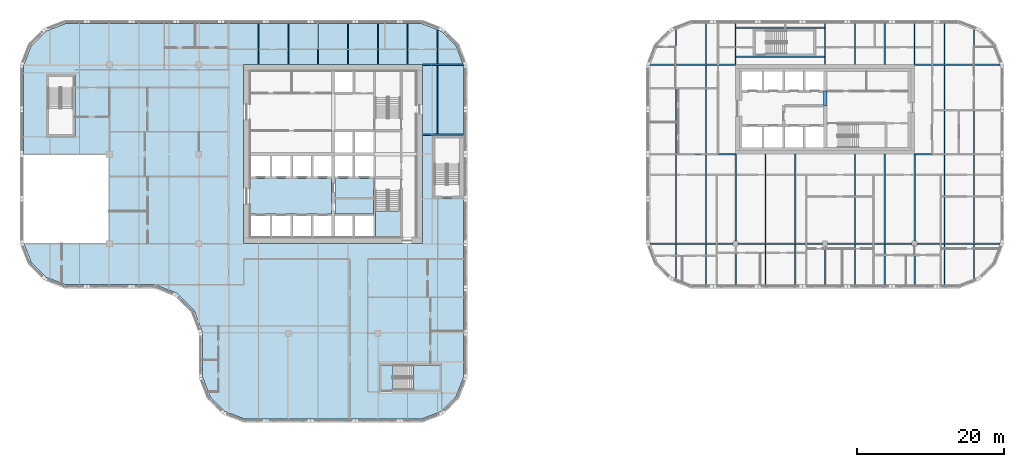
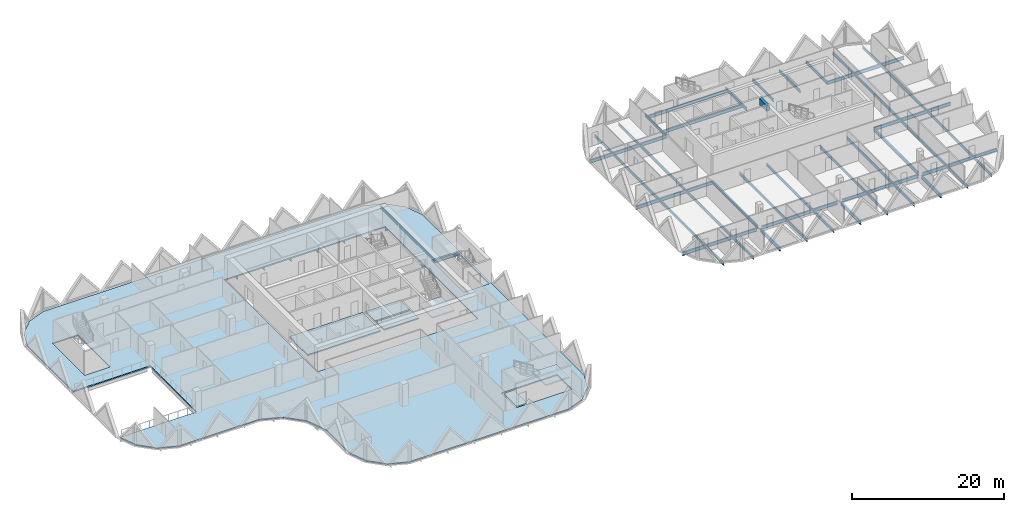
# One storey, part 2 of 19: 55 beams, 7 slabs, 2 elements without a shape of their own.
"""IFC4 building model written with IfcOpenShell, lengths in metres."""

from ifc_helpers import new_model, si_unit, direction, frame, origin, origin_2d, place, context, subcontext, project, spatial, polyline, rectangle, i_section, outline, extrude, material, layer, layer_set, material_profile, profile_set, type_object, element, aggregate, save


model = new_model("IFC4")

# Units and contexts
model_context = context("Model", 3, precision=1e-05, world=origin(), true_north=direction((0.0, 1.0)))
body_context = subcontext(model_context, "Body", "Model", "MODEL_VIEW")
ifc_project = project(units=[si_unit("LENGTHUNIT", "METRE"), si_unit("AREAUNIT", "SQUARE_METRE"), si_unit("VOLUMEUNIT", "CUBIC_METRE"), si_unit("PLANEANGLEUNIT", "RADIAN"), si_unit("MASSUNIT", "GRAM", prefix="KILO")], contexts=[model_context])

# Site, building, storey
site_placement = place(None, origin())
site = spatial("IfcSite", under=ifc_project, at=site_placement, CompositionType="ELEMENT")
building_placement = place(site_placement, origin())
building = spatial("IfcBuilding", under=site, at=building_placement, Name="Tessera Gate Towers", CompositionType="ELEMENT")
storey_placement = place(building_placement, frame((0.0, 0.0, 68.60009765625)))
storey = spatial("IfcBuildingStorey", under=building, at=storey_placement, Name="L16", CompositionType="ELEMENT", Elevation=68.60009765625)

# Beams
ifc_material_1 = material(Name="Concrete C50/60", Category="concrete")
ifc_material_profile_1 = material_profile(ifc_material_1, rectangle(XDim=0.5, YDim=0.89990234375, at=origin_2d()), Name="RC 500x900")
ifc_profile_set_1 = profile_set([ifc_material_profile_1], Name="Concrete C50/60")
beam_type_1 = type_object("IfcBeamType", Name="COUPLING BEAM 500x900 C50/60", PredefinedType="BEAM", material=ifc_profile_set_1)
beam_1_placement = place(storey_placement, frame((109.800048828125, 43.199951171875, 3.14990234375), z_axis=(0.0, 1.0, 0.0), x_axis=(-1.0, 0.0, 0.0)))
element("IfcBeam", 1, at=beam_1_placement, inside=storey, type_object=beam_type_1, Name="L16 coupling beam 1", PredefinedType="BEAM", context=body_context, shape_type="SweptSolid", body=[
    extrude(rectangle(XDim=0.5, YDim=0.89990234375, at=origin_2d()), origin(), (0.0, 0.0, 1.0), 2.0),
])
ifc_material_2 = material(Name="Steel 350W", Category="steel")
ifc_material_profile_2 = material_profile(ifc_material_2, i_section(OverallWidth=0.208984375, OverallDepth=0.532958984375, WebThickness=0.01025390625, FlangeThickness=0.015625, at=origin_2d()), Name="W530x92")
ifc_profile_set_2 = profile_set([ifc_material_profile_2], Name="Steel 350W")
beam_type_2 = type_object("IfcBeamType", Name="FLOOR GIRDER W530x92", PredefinedType="BEAM", material=ifc_profile_set_2)
beam_2_placement = place(storey_placement, frame((54.90087890625, 48.800048828125, -0.466552734375), z_axis=(1.0, 0.0, 0.0), x_axis=(0.0, 1.0, 0.0)))
element("IfcBeam", 2, at=beam_2_placement, inside=storey, type_object=beam_type_2, Name="T1-GD-L16-2242", PredefinedType="BEAM", context=body_context, shape_type="SweptSolid", body=[
    extrude(i_section(OverallWidth=0.208984375, OverallDepth=0.532958984375, WebThickness=0.01025390625, FlangeThickness=0.015625, at=origin_2d()), origin(), (0.0, 0.0, 1.0), 5.564208984375),
])
beam_3_placement = place(storey_placement, frame((54.89892578125, 39.219970703125, -0.466552734375), z_axis=(1.0, 0.0, 0.0), x_axis=(0.0, 1.0, 0.0)))
element("IfcBeam", 3, at=beam_3_placement, inside=storey, type_object=beam_type_2, Name="T1-GD-L16-2258", PredefinedType="BEAM", context=body_context, shape_type="SweptSolid", body=[
    extrude(i_section(OverallWidth=0.208984375, OverallDepth=0.532958984375, WebThickness=0.01025390625, FlangeThickness=0.015625, at=origin_2d()), origin(), (0.0, 0.0, 1.0), 5.60205078125),
])
beam_4_placement = place(storey_placement, frame((85.934814453125, 24.39990234375, -0.466552734375), z_axis=(1.0, 0.0, 0.0), x_axis=(0.0, 1.0, 0.0)))
element("IfcBeam", 4, at=beam_4_placement, inside=storey, type_object=beam_type_2, Name="T2-GD-L16-2300", PredefinedType="BEAM", context=body_context, shape_type="SweptSolid", body=[
    extrude(i_section(OverallWidth=0.208984375, OverallDepth=0.532958984375, WebThickness=0.01025390625, FlangeThickness=0.015625, at=origin_2d()), origin(), (0.0, 0.0, 1.0), 11.315185546875),
])
for number, where, z_axis, x_axis, name in (
    (5, (97.949951171875, 24.39990234375, -0.466552734375), (1.0, 0.0, 0.0), (0.0, 1.0, 0.0), "T2-GD-L16-2301"),
    (6, (110.14990234375, 24.39990234375, -0.466552734375), (1.0, 0.0, 0.0), (0.0, 1.0, 0.0), "T2-GD-L16-2302"),
):
    element("IfcBeam", number, at=place(storey_placement, frame(where, z_axis=z_axis, x_axis=x_axis)), inside=storey, type_object=beam_type_2, Name=name, PredefinedType="BEAM", context=body_context, shape_type="SweptSolid", body=[
        extrude(i_section(OverallWidth=0.208984375, OverallDepth=0.532958984375, WebThickness=0.01025390625, FlangeThickness=0.015625, at=origin_2d()), origin(), (0.0, 0.0, 1.0), 11.5),
    ])
beam_5_placement = place(storey_placement, frame((122.35009765625, 24.39990234375, -0.466552734375), z_axis=(1.0, 0.0, 0.0), x_axis=(0.0, 1.0, 0.0)))
element("IfcBeam", 7, at=beam_5_placement, inside=storey, type_object=beam_type_2, Name="T2-GD-L16-2303", PredefinedType="BEAM", context=body_context, shape_type="SweptSolid", body=[
    extrude(i_section(OverallWidth=0.208984375, OverallDepth=0.532958984375, WebThickness=0.01025390625, FlangeThickness=0.015625, at=origin_2d()), origin(), (0.0, 0.0, 1.0), 11.315185546875),
])
beam_6_placement = place(storey_placement, frame((85.89892578125, 36.60009765625, -0.466552734375), z_axis=(1.0, 0.0, 0.0), x_axis=(0.0, 1.0, 0.0)))
element("IfcBeam", 8, at=beam_6_placement, inside=storey, type_object=beam_type_2, Name="T2-GD-L16-2304", PredefinedType="BEAM", context=body_context, shape_type="SweptSolid", body=[
    extrude(i_section(OverallWidth=0.208984375, OverallDepth=0.532958984375, WebThickness=0.01025390625, FlangeThickness=0.015625, at=origin_2d()), origin(), (0.0, 0.0, 1.0), 11.7001953125),
])
beam_7_placement = place(storey_placement, frame((122.0009765625, 36.60009765625, -0.466552734375), z_axis=(1.0, 0.0, 0.0), x_axis=(0.0, 1.0, 0.0)))
element("IfcBeam", 9, at=beam_7_placement, inside=storey, type_object=beam_type_2, Name="T2-GD-L16-2305", PredefinedType="BEAM", context=body_context, shape_type="SweptSolid", body=[
    extrude(i_section(OverallWidth=0.208984375, OverallDepth=0.532958984375, WebThickness=0.01025390625, FlangeThickness=0.015625, at=origin_2d()), origin(), (0.0, 0.0, 1.0), 11.699951171875),
])
for number, where, z_axis, x_axis, name in (
    (10, (85.934814453125, 48.800048828125, -0.466552734375), (1.0, 0.0, 0.0), (0.0, 1.0, 0.0), "T2-GD-L16-2306"),
    (11, (122.0009765625, 48.800048828125, -0.466552734375), (1.0, 0.0, 0.0), (0.0, 1.0, 0.0), "T2-GD-L16-2307"),
):
    element("IfcBeam", number, at=place(storey_placement, frame(where, z_axis=z_axis, x_axis=x_axis)), inside=storey, type_object=beam_type_2, Name=name, PredefinedType="BEAM", context=body_context, shape_type="SweptSolid", body=[
        extrude(i_section(OverallWidth=0.208984375, OverallDepth=0.532958984375, WebThickness=0.01025390625, FlangeThickness=0.015625, at=origin_2d()), origin(), (0.0, 0.0, 1.0), 11.664306640625),
    ])
beam_8_placement = place(storey_placement, frame((97.60009765625, 18.799072265625, -0.466552734375), z_axis=(0.0, 1.0, 0.0), x_axis=(-1.0, 0.0, 0.0)))
element("IfcBeam", 12, at=beam_8_placement, inside=storey, type_object=beam_type_2, Name="T2-GD-L16-2308", PredefinedType="BEAM", context=body_context, shape_type="SweptSolid", body=[
    extrude(i_section(OverallWidth=0.208984375, OverallDepth=0.532958984375, WebThickness=0.01025390625, FlangeThickness=0.015625, at=origin_2d()), origin(), (0.0, 0.0, 1.0), 5.2509765625),
])
beam_9_placement = place(storey_placement, frame((97.60009765625, 24.75, -0.466552734375), z_axis=(0.0, 1.0, 0.0), x_axis=(-1.0, 0.0, 0.0)))
element("IfcBeam", 13, at=beam_9_placement, inside=storey, type_object=beam_type_2, Name="T2-GD-L16-2309", PredefinedType="BEAM", context=body_context, shape_type="SweptSolid", body=[
    extrude(i_section(OverallWidth=0.208984375, OverallDepth=0.532958984375, WebThickness=0.01025390625, FlangeThickness=0.015625, at=origin_2d()), origin(), (0.0, 0.0, 1.0), 11.85009765625),
])
for number, where, z_axis, x_axis, name in (
    (14, (109.800048828125, 18.799072265625, -0.466552734375), (0.0, 1.0, 0.0), (-1.0, 0.0, 0.0), "T2-GD-L16-2310"),
    (15, (122.0, 18.799072265625, -0.466552734375), (0.0, 1.0, 0.0), (-1.0, 0.0, 0.0), "T2-GD-L16-2311"),
):
    element("IfcBeam", number, at=place(storey_placement, frame(where, z_axis=z_axis, x_axis=x_axis)), inside=storey, type_object=beam_type_2, Name=name, PredefinedType="BEAM", context=body_context, shape_type="SweptSolid", body=[
        extrude(i_section(OverallWidth=0.208984375, OverallDepth=0.532958984375, WebThickness=0.01025390625, FlangeThickness=0.015625, at=origin_2d()), origin(), (0.0, 0.0, 1.0), 5.2509765625),
    ])
beam_10_placement = place(storey_placement, frame((122.0, 24.75, -0.466552734375), z_axis=(0.0, 1.0, 0.0), x_axis=(-1.0, 0.0, 0.0)))
element("IfcBeam", 16, at=beam_10_placement, inside=storey, type_object=beam_type_2, Name="T2-GD-L16-2312", PredefinedType="BEAM", context=body_context, shape_type="SweptSolid", body=[
    extrude(i_section(OverallWidth=0.208984375, OverallDepth=0.532958984375, WebThickness=0.01025390625, FlangeThickness=0.015625, at=origin_2d()), origin(), (0.0, 0.0, 1.0), 11.85009765625),
])
for number, where, z_axis, x_axis, name in (
    (17, (97.676513671875, 49.8798828125, -0.466552734375), (1.0, 0.0, 0.0), (0.0, 1.0, 0.0), "T2-GD-L16-2313"),
    (18, (97.676513671875, 53.820068359375, -0.466552734375), (1.0, 0.0, 0.0), (0.0, 1.0, 0.0), "T2-GD-L16-2314"),
):
    element("IfcBeam", number, at=place(storey_placement, frame(where, z_axis=z_axis, x_axis=x_axis)), inside=storey, type_object=beam_type_2, Name=name, PredefinedType="BEAM", context=body_context, shape_type="SweptSolid", body=[
        extrude(i_section(OverallWidth=0.208984375, OverallDepth=0.532958984375, WebThickness=0.01025390625, FlangeThickness=0.015625, at=origin_2d()), origin(), (0.0, 0.0, 1.0), 12.046875),
    ])
ifc_material_3 = material(Name="Steel 350W", Category="steel")
ifc_material_profile_3 = material_profile(ifc_material_3, i_section(OverallWidth=0.153076171875, OverallDepth=0.455078125, WebThickness=0.008056640625, FlangeThickness=0.01318359375, at=origin_2d()), Name="W460x60")
ifc_profile_set_3 = profile_set([ifc_material_profile_3], Name="Steel 350W")
beam_type_3 = type_object("IfcBeamType", Name="FLOOR SECONDARY W460x60", PredefinedType="BEAM", material=ifc_profile_set_3)
for number, where, z_axis, x_axis, name in (
    (19, (32.533203125, 48.800048828125, -0.427490234375), (0.0, 1.0, 0.0), (-1.0, 0.0, 0.0), "T1-BM-L16-2281"),
    (20, (36.60009765625, 48.800048828125, -0.427490234375), (0.0, 1.0, 0.0), (-1.0, 0.0, 0.0), "T1-BM-L16-2282"),
    (21, (40.666748046875, 48.800048828125, -0.427490234375), (0.0, 1.0, 0.0), (-1.0, 0.0, 0.0), "T1-BM-L16-2285"),
    (22, (44.7333984375, 48.800048828125, -0.427490234375), (0.0, 1.0, 0.0), (-1.0, 0.0, 0.0), "T1-BM-L16-2288"),
    (23, (48.800048828125, 48.800048828125, -0.427490234375), (0.0, 1.0, 0.0), (-1.0, 0.0, 0.0), "T1-BM-L16-2289"),
    (24, (52.86669921875, 48.800048828125, -0.427490234375), (0.0, 1.0, 0.0), (-1.0, 0.0, 0.0), "T1-BM-L16-2293"),
):
    element("IfcBeam", number, at=place(storey_placement, frame(where, z_axis=z_axis, x_axis=x_axis)), inside=storey, type_object=beam_type_3, Name=name, PredefinedType="BEAM", context=body_context, shape_type="SweptSolid", body=[
        extrude(i_section(OverallWidth=0.153076171875, OverallDepth=0.455078125, WebThickness=0.008056640625, FlangeThickness=0.01318359375, at=origin_2d()), origin(), (0.0, 0.0, 1.0), 5.599853515625),
    ])
beam_11_placement = place(storey_placement, frame((56.933349609375, 39.324462890625, -0.427490234375), z_axis=(0.0, 1.0, 0.0), x_axis=(-1.0, 0.0, 0.0)))
element("IfcBeam", 25, at=beam_11_placement, inside=storey, type_object=beam_type_3, Name="T1-BM-L16-2298", PredefinedType="BEAM", context=body_context, shape_type="SweptSolid", body=[
    extrude(i_section(OverallWidth=0.153076171875, OverallDepth=0.455078125, WebThickness=0.008056640625, FlangeThickness=0.01318359375, at=origin_2d()), origin(), (0.0, 0.0, 1.0), 9.37109375),
])
for number, where, z_axis, x_axis, name in (
    (26, (56.933349609375, 48.904541015625, -0.427490234375), (0.0, 1.0, 0.0), (-1.0, 0.0, 0.0), "T1-BM-L16-2299"),
    (27, (89.466796875, 19.620361328125, -0.427490234375), (0.0, 1.0, 0.0), (-1.0, 0.0, 0.0), "T2-BM-L16-2315"),
):
    element("IfcBeam", number, at=place(storey_placement, frame(where, z_axis=z_axis, x_axis=x_axis)), inside=storey, type_object=beam_type_3, Name=name, PredefinedType="BEAM", context=body_context, shape_type="SweptSolid", body=[
        extrude(i_section(OverallWidth=0.153076171875, OverallDepth=0.455078125, WebThickness=0.008056640625, FlangeThickness=0.01318359375, at=origin_2d()), origin(), (0.0, 0.0, 1.0), 4.675048828125),
    ])
beam_12_placement = place(storey_placement, frame((89.466796875, 24.50439453125, -0.427490234375), z_axis=(0.0, 1.0, 0.0), x_axis=(-1.0, 0.0, 0.0)))
element("IfcBeam", 28, at=beam_12_placement, inside=storey, type_object=beam_type_3, Name="T2-BM-L16-2316", PredefinedType="BEAM", context=body_context, shape_type="SweptSolid", body=[
    extrude(i_section(OverallWidth=0.153076171875, OverallDepth=0.455078125, WebThickness=0.008056640625, FlangeThickness=0.01318359375, at=origin_2d()), origin(), (0.0, 0.0, 1.0), 11.9912109375),
])
beam_13_placement = place(storey_placement, frame((89.466796875, 36.70458984375, -0.427490234375), z_axis=(0.0, 1.0, 0.0), x_axis=(-1.0, 0.0, 0.0)))
element("IfcBeam", 29, at=beam_13_placement, inside=storey, type_object=beam_type_3, Name="T2-BM-L16-2317", PredefinedType="BEAM", context=body_context, shape_type="SweptSolid", body=[
    extrude(i_section(OverallWidth=0.153076171875, OverallDepth=0.455078125, WebThickness=0.008056640625, FlangeThickness=0.01318359375, at=origin_2d()), origin(), (0.0, 0.0, 1.0), 11.990966796875),
])
beam_14_placement = place(storey_placement, frame((89.466796875, 48.904541015625, -0.427490234375), z_axis=(0.0, 1.0, 0.0), x_axis=(-1.0, 0.0, 0.0)))
element("IfcBeam", 30, at=beam_14_placement, inside=storey, type_object=beam_type_3, Name="T2-BM-L16-2318", PredefinedType="BEAM", context=body_context, shape_type="SweptSolid", body=[
    extrude(i_section(OverallWidth=0.153076171875, OverallDepth=0.455078125, WebThickness=0.008056640625, FlangeThickness=0.01318359375, at=origin_2d()), origin(), (0.0, 0.0, 1.0), 4.675048828125),
])
beam_15_placement = place(storey_placement, frame((93.533203125, 18.800048828125, -0.427490234375), z_axis=(0.0, 1.0, 0.0), x_axis=(-1.0, 0.0, 0.0)))
element("IfcBeam", 31, at=beam_15_placement, inside=storey, type_object=beam_type_3, Name="T2-BM-L16-2319", PredefinedType="BEAM", context=body_context, shape_type="SweptSolid", body=[
    extrude(i_section(OverallWidth=0.153076171875, OverallDepth=0.455078125, WebThickness=0.008056640625, FlangeThickness=0.01318359375, at=origin_2d()), origin(), (0.0, 0.0, 1.0), 5.495361328125),
])
beam_16_placement = place(storey_placement, frame((93.533203125, 24.50439453125, -0.427490234375), z_axis=(0.0, 1.0, 0.0), x_axis=(-1.0, 0.0, 0.0)))
element("IfcBeam", 32, at=beam_16_placement, inside=storey, type_object=beam_type_3, Name="T2-BM-L16-2320", PredefinedType="BEAM", context=body_context, shape_type="SweptSolid", body=[
    extrude(i_section(OverallWidth=0.153076171875, OverallDepth=0.455078125, WebThickness=0.008056640625, FlangeThickness=0.01318359375, at=origin_2d()), origin(), (0.0, 0.0, 1.0), 11.9912109375),
])
beam_17_placement = place(storey_placement, frame((93.533203125, 36.70458984375, -0.427490234375), z_axis=(0.0, 1.0, 0.0), x_axis=(-1.0, 0.0, 0.0)))
element("IfcBeam", 33, at=beam_17_placement, inside=storey, type_object=beam_type_3, Name="T2-BM-L16-2321", PredefinedType="BEAM", context=body_context, shape_type="SweptSolid", body=[
    extrude(i_section(OverallWidth=0.153076171875, OverallDepth=0.455078125, WebThickness=0.008056640625, FlangeThickness=0.01318359375, at=origin_2d()), origin(), (0.0, 0.0, 1.0), 11.990966796875),
])
beam_18_placement = place(storey_placement, frame((93.533203125, 48.904541015625, -0.427490234375), z_axis=(0.0, 1.0, 0.0), x_axis=(-1.0, 0.0, 0.0)))
element("IfcBeam", 34, at=beam_18_placement, inside=storey, type_object=beam_type_3, Name="T2-BM-L16-2322", PredefinedType="BEAM", context=body_context, shape_type="SweptSolid", body=[
    extrude(i_section(OverallWidth=0.153076171875, OverallDepth=0.455078125, WebThickness=0.008056640625, FlangeThickness=0.01318359375, at=origin_2d()), origin(), (0.0, 0.0, 1.0), 5.495361328125),
])
beam_19_placement = place(storey_placement, frame((97.60009765625, 48.800048828125, -0.427490234375), z_axis=(0.0, 1.0, 0.0), x_axis=(-1.0, 0.0, 0.0)))
element("IfcBeam", 35, at=beam_19_placement, inside=storey, type_object=beam_type_3, Name="T2-BM-L16-2323", PredefinedType="BEAM", context=body_context, shape_type="SweptSolid", body=[
    extrude(i_section(OverallWidth=0.153076171875, OverallDepth=0.455078125, WebThickness=0.008056640625, FlangeThickness=0.01318359375, at=origin_2d()), origin(), (0.0, 0.0, 1.0), 5.599853515625),
])
beam_20_placement = place(storey_placement, frame((101.666748046875, 18.800048828125, -0.427490234375), z_axis=(0.0, 1.0, 0.0), x_axis=(-1.0, 0.0, 0.0)))
element("IfcBeam", 36, at=beam_20_placement, inside=storey, type_object=beam_type_3, Name="T2-BM-L16-2324", PredefinedType="BEAM", context=body_context, shape_type="SweptSolid", body=[
    extrude(i_section(OverallWidth=0.153076171875, OverallDepth=0.455078125, WebThickness=0.008056640625, FlangeThickness=0.01318359375, at=origin_2d()), origin(), (0.0, 0.0, 1.0), 5.495361328125),
])
beam_21_placement = place(storey_placement, frame((101.666748046875, 24.50439453125, -0.427490234375), z_axis=(0.0, 1.0, 0.0), x_axis=(-1.0, 0.0, 0.0)))
element("IfcBeam", 37, at=beam_21_placement, inside=storey, type_object=beam_type_3, Name="T2-BM-L16-2325", PredefinedType="BEAM", context=body_context, shape_type="SweptSolid", body=[
    extrude(i_section(OverallWidth=0.153076171875, OverallDepth=0.455078125, WebThickness=0.008056640625, FlangeThickness=0.01318359375, at=origin_2d()), origin(), (0.0, 0.0, 1.0), 12.095703125),
])
beam_22_placement = place(storey_placement, frame((105.7333984375, 18.800048828125, -0.427490234375), z_axis=(0.0, 1.0, 0.0), x_axis=(-1.0, 0.0, 0.0)))
element("IfcBeam", 38, at=beam_22_placement, inside=storey, type_object=beam_type_3, Name="T2-BM-L16-2326", PredefinedType="BEAM", context=body_context, shape_type="SweptSolid", body=[
    extrude(i_section(OverallWidth=0.153076171875, OverallDepth=0.455078125, WebThickness=0.008056640625, FlangeThickness=0.01318359375, at=origin_2d()), origin(), (0.0, 0.0, 1.0), 5.495361328125),
])
beam_23_placement = place(storey_placement, frame((105.7333984375, 24.50439453125, -0.427490234375), z_axis=(0.0, 1.0, 0.0), x_axis=(-1.0, 0.0, 0.0)))
element("IfcBeam", 39, at=beam_23_placement, inside=storey, type_object=beam_type_3, Name="T2-BM-L16-2327", PredefinedType="BEAM", context=body_context, shape_type="SweptSolid", body=[
    extrude(i_section(OverallWidth=0.153076171875, OverallDepth=0.455078125, WebThickness=0.008056640625, FlangeThickness=0.01318359375, at=origin_2d()), origin(), (0.0, 0.0, 1.0), 12.095703125),
])
beam_24_placement = place(storey_placement, frame((109.800048828125, 48.800048828125, -0.427490234375), z_axis=(0.0, 1.0, 0.0), x_axis=(-1.0, 0.0, 0.0)))
element("IfcBeam", 40, at=beam_24_placement, inside=storey, type_object=beam_type_3, Name="T2-BM-L16-2328", PredefinedType="BEAM", context=body_context, shape_type="SweptSolid", body=[
    extrude(i_section(OverallWidth=0.153076171875, OverallDepth=0.455078125, WebThickness=0.008056640625, FlangeThickness=0.01318359375, at=origin_2d()), origin(), (0.0, 0.0, 1.0), 5.599853515625),
])
beam_25_placement = place(storey_placement, frame((113.86669921875, 18.800048828125, -0.427490234375), z_axis=(0.0, 1.0, 0.0), x_axis=(-1.0, 0.0, 0.0)))
element("IfcBeam", 41, at=beam_25_placement, inside=storey, type_object=beam_type_3, Name="T2-BM-L16-2329", PredefinedType="BEAM", context=body_context, shape_type="SweptSolid", body=[
    extrude(i_section(OverallWidth=0.153076171875, OverallDepth=0.455078125, WebThickness=0.008056640625, FlangeThickness=0.01318359375, at=origin_2d()), origin(), (0.0, 0.0, 1.0), 5.495361328125),
])
beam_26_placement = place(storey_placement, frame((113.86669921875, 24.50439453125, -0.427490234375), z_axis=(0.0, 1.0, 0.0), x_axis=(-1.0, 0.0, 0.0)))
element("IfcBeam", 42, at=beam_26_placement, inside=storey, type_object=beam_type_3, Name="T2-BM-L16-2330", PredefinedType="BEAM", context=body_context, shape_type="SweptSolid", body=[
    extrude(i_section(OverallWidth=0.153076171875, OverallDepth=0.455078125, WebThickness=0.008056640625, FlangeThickness=0.01318359375, at=origin_2d()), origin(), (0.0, 0.0, 1.0), 12.095703125),
])
beam_27_placement = place(storey_placement, frame((113.86669921875, 48.800048828125, -0.427490234375), z_axis=(0.0, 1.0, 0.0), x_axis=(-1.0, 0.0, 0.0)))
element("IfcBeam", 43, at=beam_27_placement, inside=storey, type_object=beam_type_3, Name="T2-BM-L16-2331", PredefinedType="BEAM", context=body_context, shape_type="SweptSolid", body=[
    extrude(i_section(OverallWidth=0.153076171875, OverallDepth=0.455078125, WebThickness=0.008056640625, FlangeThickness=0.01318359375, at=origin_2d()), origin(), (0.0, 0.0, 1.0), 5.599853515625),
])
beam_28_placement = place(storey_placement, frame((117.933349609375, 18.800048828125, -0.427490234375), z_axis=(0.0, 1.0, 0.0), x_axis=(-1.0, 0.0, 0.0)))
element("IfcBeam", 44, at=beam_28_placement, inside=storey, type_object=beam_type_3, Name="T2-BM-L16-2332", PredefinedType="BEAM", context=body_context, shape_type="SweptSolid", body=[
    extrude(i_section(OverallWidth=0.153076171875, OverallDepth=0.455078125, WebThickness=0.008056640625, FlangeThickness=0.01318359375, at=origin_2d()), origin(), (0.0, 0.0, 1.0), 5.495361328125),
])
beam_29_placement = place(storey_placement, frame((117.933349609375, 24.50439453125, -0.427490234375), z_axis=(0.0, 1.0, 0.0), x_axis=(-1.0, 0.0, 0.0)))
element("IfcBeam", 45, at=beam_29_placement, inside=storey, type_object=beam_type_3, Name="T2-BM-L16-2333", PredefinedType="BEAM", context=body_context, shape_type="SweptSolid", body=[
    extrude(i_section(OverallWidth=0.153076171875, OverallDepth=0.455078125, WebThickness=0.008056640625, FlangeThickness=0.01318359375, at=origin_2d()), origin(), (0.0, 0.0, 1.0), 12.095703125),
])
for number, where, z_axis, x_axis, name in (
    (46, (117.933349609375, 48.800048828125, -0.427490234375), (0.0, 1.0, 0.0), (-1.0, 0.0, 0.0), "T2-BM-L16-2334"),
    (47, (122.0, 48.800048828125, -0.427490234375), (0.0, 1.0, 0.0), (-1.0, 0.0, 0.0), "T2-BM-L16-2335"),
):
    element("IfcBeam", number, at=place(storey_placement, frame(where, z_axis=z_axis, x_axis=x_axis)), inside=storey, type_object=beam_type_3, Name=name, PredefinedType="BEAM", context=body_context, shape_type="SweptSolid", body=[
        extrude(i_section(OverallWidth=0.153076171875, OverallDepth=0.455078125, WebThickness=0.008056640625, FlangeThickness=0.01318359375, at=origin_2d()), origin(), (0.0, 0.0, 1.0), 5.599853515625),
    ])
beam_30_placement = place(storey_placement, frame((126.066650390625, 18.800048828125, -0.427490234375), z_axis=(0.0, 1.0, 0.0), x_axis=(-1.0, 0.0, 0.0)))
element("IfcBeam", 48, at=beam_30_placement, inside=storey, type_object=beam_type_3, Name="T2-BM-L16-2336", PredefinedType="BEAM", context=body_context, shape_type="SweptSolid", body=[
    extrude(i_section(OverallWidth=0.153076171875, OverallDepth=0.455078125, WebThickness=0.008056640625, FlangeThickness=0.01318359375, at=origin_2d()), origin(), (0.0, 0.0, 1.0), 5.495361328125),
])
beam_31_placement = place(storey_placement, frame((126.066650390625, 24.50439453125, -0.427490234375), z_axis=(0.0, 1.0, 0.0), x_axis=(-1.0, 0.0, 0.0)))
element("IfcBeam", 49, at=beam_31_placement, inside=storey, type_object=beam_type_3, Name="T2-BM-L16-2337", PredefinedType="BEAM", context=body_context, shape_type="SweptSolid", body=[
    extrude(i_section(OverallWidth=0.153076171875, OverallDepth=0.455078125, WebThickness=0.008056640625, FlangeThickness=0.01318359375, at=origin_2d()), origin(), (0.0, 0.0, 1.0), 11.9912109375),
])
beam_32_placement = place(storey_placement, frame((126.066650390625, 36.70458984375, -0.427490234375), z_axis=(0.0, 1.0, 0.0), x_axis=(-1.0, 0.0, 0.0)))
element("IfcBeam", 50, at=beam_32_placement, inside=storey, type_object=beam_type_3, Name="T2-BM-L16-2338", PredefinedType="BEAM", context=body_context, shape_type="SweptSolid", body=[
    extrude(i_section(OverallWidth=0.153076171875, OverallDepth=0.455078125, WebThickness=0.008056640625, FlangeThickness=0.01318359375, at=origin_2d()), origin(), (0.0, 0.0, 1.0), 11.990966796875),
])
beam_33_placement = place(storey_placement, frame((126.066650390625, 48.904541015625, -0.427490234375), z_axis=(0.0, 1.0, 0.0), x_axis=(-1.0, 0.0, 0.0)))
element("IfcBeam", 51, at=beam_33_placement, inside=storey, type_object=beam_type_3, Name="T2-BM-L16-2339", PredefinedType="BEAM", context=body_context, shape_type="SweptSolid", body=[
    extrude(i_section(OverallWidth=0.153076171875, OverallDepth=0.455078125, WebThickness=0.008056640625, FlangeThickness=0.01318359375, at=origin_2d()), origin(), (0.0, 0.0, 1.0), 5.495361328125),
])
beam_34_placement = place(storey_placement, frame((130.13330078125, 19.620361328125, -0.427490234375), z_axis=(0.0, 1.0, 0.0), x_axis=(-1.0, 0.0, 0.0)))
element("IfcBeam", 52, at=beam_34_placement, inside=storey, type_object=beam_type_3, Name="T2-BM-L16-2340", PredefinedType="BEAM", context=body_context, shape_type="SweptSolid", body=[
    extrude(i_section(OverallWidth=0.153076171875, OverallDepth=0.455078125, WebThickness=0.008056640625, FlangeThickness=0.01318359375, at=origin_2d()), origin(), (0.0, 0.0, 1.0), 4.675048828125),
])
beam_35_placement = place(storey_placement, frame((130.13330078125, 24.50439453125, -0.427490234375), z_axis=(0.0, 1.0, 0.0), x_axis=(-1.0, 0.0, 0.0)))
element("IfcBeam", 53, at=beam_35_placement, inside=storey, type_object=beam_type_3, Name="T2-BM-L16-2341", PredefinedType="BEAM", context=body_context, shape_type="SweptSolid", body=[
    extrude(i_section(OverallWidth=0.153076171875, OverallDepth=0.455078125, WebThickness=0.008056640625, FlangeThickness=0.01318359375, at=origin_2d()), origin(), (0.0, 0.0, 1.0), 11.9912109375),
])
beam_36_placement = place(storey_placement, frame((130.13330078125, 36.70458984375, -0.427490234375), z_axis=(0.0, 1.0, 0.0), x_axis=(-1.0, 0.0, 0.0)))
element("IfcBeam", 54, at=beam_36_placement, inside=storey, type_object=beam_type_3, Name="T2-BM-L16-2342", PredefinedType="BEAM", context=body_context, shape_type="SweptSolid", body=[
    extrude(i_section(OverallWidth=0.153076171875, OverallDepth=0.455078125, WebThickness=0.008056640625, FlangeThickness=0.01318359375, at=origin_2d()), origin(), (0.0, 0.0, 1.0), 11.990966796875),
])
beam_37_placement = place(storey_placement, frame((130.13330078125, 48.904541015625, -0.427490234375), z_axis=(0.0, 1.0, 0.0), x_axis=(-1.0, 0.0, 0.0)))
element("IfcBeam", 55, at=beam_37_placement, inside=storey, type_object=beam_type_3, Name="T2-BM-L16-2343", PredefinedType="BEAM", context=body_context, shape_type="SweptSolid", body=[
    extrude(i_section(OverallWidth=0.153076171875, OverallDepth=0.455078125, WebThickness=0.008056640625, FlangeThickness=0.01318359375, at=origin_2d()), origin(), (0.0, 0.0, 1.0), 4.675048828125),
])

# Slabs
ifc_material_4 = material(Name="Concrete C35/45", Category="concrete")
ifc_layer_1 = layer(ifc_material_4, 0.199951171875)
ifc_layer_set_1 = layer_set([ifc_layer_1], Name="COMPOSITE FLOOR 200")
slab_type_1 = type_object("IfcSlabType", Name="COMPOSITE FLOOR 200", PredefinedType="FLOOR", material=ifc_layer_set_1)
slab_1_placement = place(storey_placement, frame((0.0, 0.0, -0.2001953125)))
element("IfcSlab", 56, at=slab_1_placement, inside=storey, type_object=slab_type_1, Name="T1-L16", PredefinedType="FLOOR", context=body_context, shape_type="SweptSolid", body=[
    extrude(outline(polyline([(0.5, 36.60009765625), (12.199951171875, 36.60009765625), (12.199951171875, 24.39990234375), (0.535888671875, 24.39990234375), (1.526123046875, 21.8330078125), (3.533203125, 19.826171875), (6.193115234375, 18.800048828125), (18.39306640625, 18.800048828125), (21.42431640625, 17.630615234375), (23.730712890625, 15.32421875), (24.89990234375, 12.293212890625), (24.89990234375, 6.193115234375), (25.926025390625, 3.533203125), (27.93310546875, 1.526123046875), (30.593017578125, 0.5), (54.806884765625, 0.5), (57.466796875, 1.526123046875), (59.473876953125, 3.533203125), (60.5, 6.193115234375), (60.5, 48.706787109375), (59.473876953125, 51.366943359375), (57.466796875, 53.373779296875), (54.806884765625, 54.39990234375), (6.193115234375, 54.39990234375), (3.533203125, 53.373779296875), (1.526123046875, 51.366943359375), (0.5, 48.706787109375), (0.5, 36.60009765625)]), holes=[polyline([(3.60009765625, 39.0), (3.60009765625, 47.5), (7.5, 47.5), (7.5, 39.0), (3.60009765625, 39.0)]), polyline([(30.5, 24.39990234375), (30.5, 48.800048828125), (54.89990234375, 48.800048828125), (54.89990234375, 24.39990234375), (30.5, 24.39990234375)]), polyline([(49.0, 4.199951171875), (49.0, 8.10009765625), (57.5, 8.10009765625), (57.5, 4.199951171875), (49.0, 4.199951171875)]), polyline([(56.300048828125, 30.60009765625), (56.300048828125, 39.10009765625), (60.199951171875, 39.10009765625), (60.199951171875, 30.60009765625), (56.300048828125, 30.60009765625)])]), origin(), (0.0, 0.0, 1.0), 0.2001953125),
])
ifc_material_5 = material(Name="Concrete C35/45", Category="concrete")
ifc_layer_2 = layer(ifc_material_5, 0.199951171875)
ifc_layer_set_2 = layer_set([ifc_layer_2], Name="CORE FLOOR SLAB 200")
slab_type_2 = type_object("IfcSlabType", Name="CORE FLOOR SLAB 200", PredefinedType="FLOOR", material=ifc_layer_set_2)
slab_2_placement = place(storey_placement, frame((0.0, 0.0, -0.2001953125)))
element("IfcSlab", 57, at=slab_2_placement, inside=storey, type_object=slab_type_2, Name="L16 core floor slab", PredefinedType="FLOOR", context=body_context, shape_type="SweptSolid", body=[
    extrude(outline(polyline([(31.39990234375, 29.800048828125), (31.39990234375, 28.425048828125), (42.449951171875, 28.425048828125), (42.449951171875, 33.27490234375), (31.39990234375, 33.27490234375), (31.39990234375, 31.89990234375), (31.300048828125, 31.89990234375), (31.300048828125, 29.800048828125), (31.39990234375, 29.800048828125)])), origin(), (0.0, 0.0, 1.0), 0.2001953125),
])
slab_3_placement = place(storey_placement, frame((0.0, 0.0, -0.2001953125)))
element("IfcSlab", 58, at=slab_3_placement, inside=storey, type_object=slab_type_2, Name="L16 core floor slab", PredefinedType="FLOOR", context=body_context, shape_type="SweptSolid", body=[
    extrude(outline(polyline([(42.949951171875, 33.27490234375), (42.949951171875, 30.72509765625), (48.22509765625, 30.72509765625), (48.22509765625, 33.27490234375), (42.949951171875, 33.27490234375)])), origin(), (0.0, 0.0, 1.0), 0.2001953125),
])
slab_4_placement = place(storey_placement, frame((0.0, 0.0, -0.2001953125)))
element("IfcSlab", 59, at=slab_4_placement, inside=storey, type_object=slab_type_2, Name="L16 core floor slab", PredefinedType="FLOOR", context=body_context, shape_type="SweptSolid", body=[
    extrude(outline(polyline([(42.949951171875, 30.47509765625), (42.949951171875, 28.425048828125), (48.22509765625, 28.425048828125), (48.22509765625, 30.47509765625), (42.949951171875, 30.47509765625)])), origin(), (0.0, 0.0, 1.0), 0.2001953125),
])
slab_5_placement = place(storey_placement, frame((0.0, 0.0, -0.2001953125)))
element("IfcSlab", 60, at=slab_5_placement, inside=storey, type_object=slab_type_2, Name="L16 ST4 floor landing", PredefinedType="FLOOR", context=body_context, shape_type="SweptSolid", body=[
    extrude(outline(polyline([(49.25, 4.449951171875), (50.85009765625, 4.449951171875), (50.85009765625, 7.85009765625), (49.25, 7.85009765625), (49.25, 4.449951171875)])), origin(), (0.0, 0.0, 1.0), 0.2001953125),
])

# Stair, slab
ifc_material_6 = material(Name="Concrete C40/50", Category="concrete")
stair_type_1 = type_object("IfcStairType", Name="EXIT STAIR ST1 1600", PredefinedType="HALF_TURN_STAIR", material=ifc_material_6)
stair_1_placement = place(storey_placement, origin())
stair_1 = element("IfcStair", 61, at=stair_1_placement, inside=storey, type_object=stair_type_1, Name="L16 Protected Exit Stair ST1", PredefinedType="HALF_TURN_STAIR")
ifc_material_7 = material(Name="Concrete C40/50", Category="concrete")
ifc_layer_3 = layer(ifc_material_7, 0.199951171875)
ifc_layer_set_3 = layer_set([ifc_layer_3], Name="EXIT STAIR LANDING 200")
slab_type_3 = type_object("IfcSlabType", Name="EXIT STAIR LANDING 200", PredefinedType="LANDING", material=ifc_layer_set_3)
slab_6_placement = place(storey_placement, frame((0.0, 0.0, 1.699951171875)))
slab_6 = element("IfcSlab", 62, at=slab_6_placement, type_object=slab_type_3, Name="ST1 landing 1", PredefinedType="LANDING", context=body_context, shape_type="SweptSolid", body=[
    extrude(outline(polyline([(48.47509765625, 28.875), (48.47509765625, 25.300048828125), (51.875, 25.300048828125), (51.875, 28.875), (48.47509765625, 28.875)])), origin(), (0.0, 0.0, 1.0), 0.199951171875),
])
aggregate(stair_1, [slab_6])

ifc_material_8 = material(Name="Concrete C40/50", Category="concrete")
stair_type_2 = type_object("IfcStairType", Name="EXIT STAIR ST4 1600", PredefinedType="HALF_TURN_STAIR", material=ifc_material_8)
stair_2_placement = place(storey_placement, origin())
stair_2 = element("IfcStair", 63, at=stair_2_placement, inside=storey, type_object=stair_type_2, Name="L16 South Exit Stair ST4", PredefinedType="HALF_TURN_STAIR")
slab_7_placement = place(storey_placement, frame((0.0, 0.0, 1.699951171875)))
slab_7 = element("IfcSlab", 64, at=slab_7_placement, type_object=slab_type_3, Name="ST4 landing 1", PredefinedType="LANDING", context=body_context, shape_type="SweptSolid", body=[
    extrude(outline(polyline([(53.64990234375, 4.449951171875), (57.25, 4.449951171875), (57.25, 7.85009765625), (53.64990234375, 7.85009765625), (53.64990234375, 4.449951171875)])), origin(), (0.0, 0.0, 1.0), 0.199951171875),
])
aggregate(stair_2, [slab_7])

save(model, "model.ifc")
